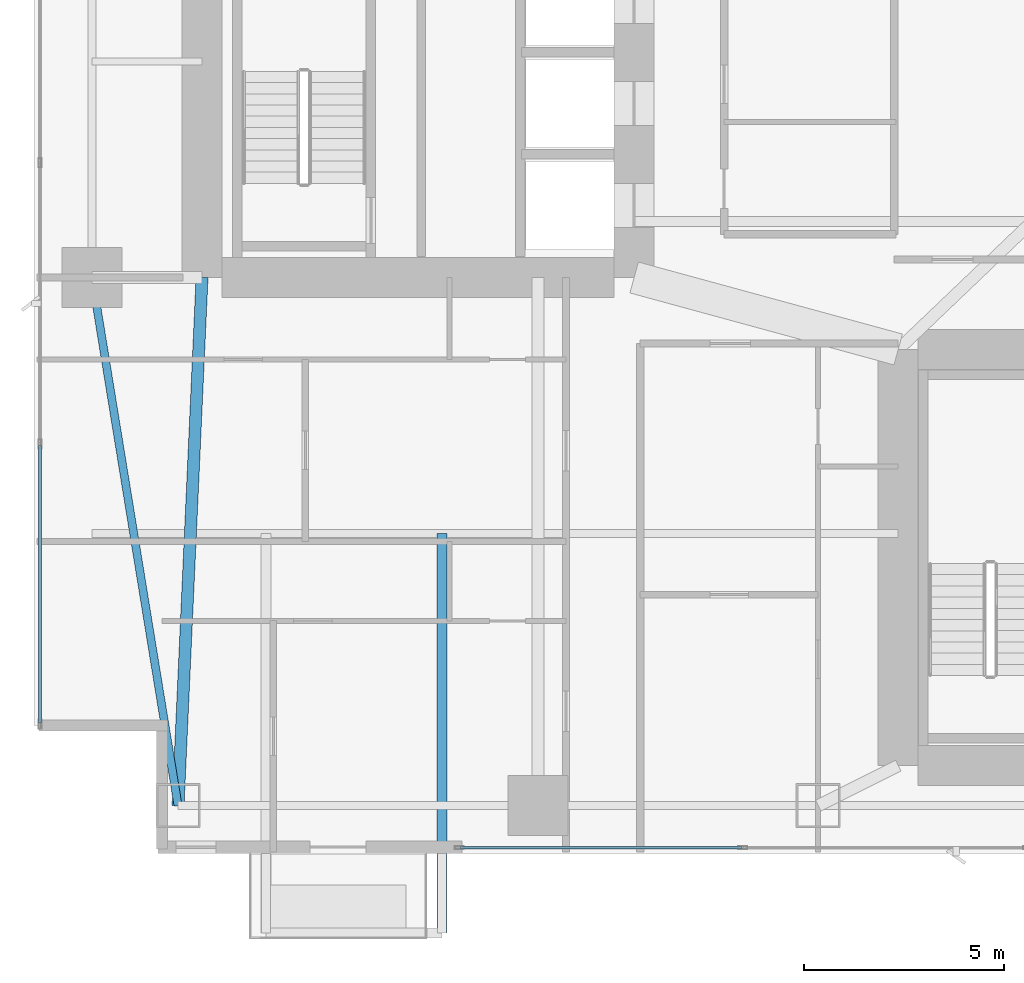
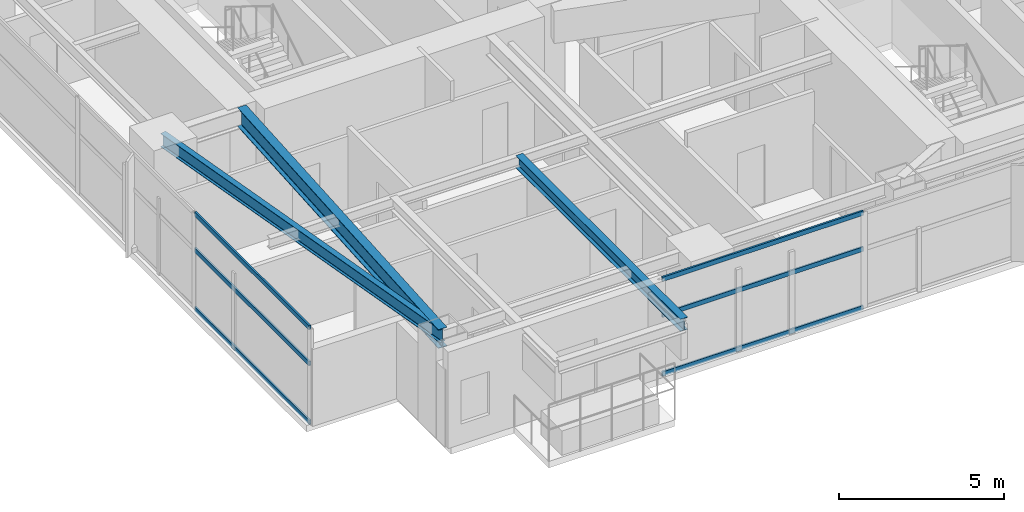
# One storey, part 3 of 30: 6 members, 3 beams, 2 elements without a shape of their own.
"""IFC4 building model written with IfcOpenShell, lengths in metres."""

from ifc_helpers import new_model, si_unit, direction, frame, origin, origin_2d, place, context, subcontext, project, spatial, hollow_rectangle, i_section, extrude, material, layer, layer_set, material_profile, profile_set, type_object, element, aggregate, save


model = new_model("IFC4")

# Units and contexts
model_context = context("Model", 3, precision=1e-05, world=origin(), true_north=direction((0.0, 1.0)))
body_context = subcontext(model_context, "Body", "Model", "MODEL_VIEW")
ifc_project = project(units=[si_unit("LENGTHUNIT", "METRE"), si_unit("AREAUNIT", "SQUARE_METRE"), si_unit("VOLUMEUNIT", "CUBIC_METRE"), si_unit("PLANEANGLEUNIT", "RADIAN"), si_unit("MASSUNIT", "GRAM", prefix="KILO")], contexts=[model_context])

# Site, building, storey
site_placement = place(None, origin())
site = spatial("IfcSite", under=ifc_project, at=site_placement, CompositionType="ELEMENT")
building_placement = place(site_placement, origin())
building = spatial("IfcBuilding", under=site, at=building_placement, Name="Calvorn Quay Hotel", CompositionType="ELEMENT")
storey_placement = place(building_placement, frame((0.0, 0.0, 77.39990234375)))
storey = spatial("IfcBuildingStorey", under=building, at=storey_placement, Name="L18", CompositionType="ELEMENT", Elevation=77.39990234375)

# Beams
ifc_material_1 = material(Name="Steel Q355B", Category="steel")
ifc_material_profile_1 = material_profile(ifc_material_1, i_section(OverallWidth=0.25, OverallDepth=0.449951171875, WebThickness=0.011962890625, FlangeThickness=0.01611328125, FilletRadius=0.01611328125, at=origin_2d()), Name="HN450x250x12x16")
ifc_profile_set_1 = profile_set([ifc_material_profile_1], Name="Steel Q355B")
beam_type_1 = type_object("IfcBeamType", Name="BM-CANT-BALC", PredefinedType="BEAM", material=ifc_profile_set_1)
beam_1_placement = place(storey_placement, frame((10.199951171875, 10.39990234375, 3.315185546875), z_axis=(0.0, -1.0, 0.0), x_axis=(1.0, 0.0, 0.0)))
element("IfcBeam", 1, at=beam_1_placement, inside=storey, type_object=beam_type_1, Name="Cantilever Balcony Beam BCB-L19-2B", PredefinedType="BEAM", context=body_context, shape_type="SweptSolid", body=[
    extrude(i_section(OverallWidth=0.25, OverallDepth=0.449951171875, WebThickness=0.011962890625, FlangeThickness=0.01611328125, FilletRadius=0.01611328125, at=origin_2d()), origin(), (0.0, 0.0, 1.0), 9.989990234375),
])
ifc_material_2 = material(Name="Steel Q390GJC", Category="steel")
ifc_material_profile_2 = material_profile(ifc_material_2, i_section(OverallWidth=0.300048828125, OverallDepth=0.699951171875, WebThickness=0.012939453125, FlangeThickness=0.02392578125, FilletRadius=0.02392578125, at=origin_2d()), Name="HN700x300x13x24")
ifc_profile_set_2 = profile_set([ifc_material_profile_2], Name="Steel Q390GJC")
beam_type_2 = type_object("IfcBeamType", Name="BM-GIRD-MAIN", PredefinedType="BEAM", material=ifc_profile_set_2)
beam_2_placement = place(storey_placement, frame((3.60009765625, 3.60009765625, 3.190185546875), z_axis=(0.045396765494, 0.998969035397, 0.0), x_axis=(-0.998969035397, 0.045396765494, 0.0)))
element("IfcBeam", 2, at=beam_2_placement, inside=storey, type_object=beam_type_2, Name="Beam BG-L18-W0", PredefinedType="BEAM", context=body_context, shape_type="SweptSolid", body=[
    extrude(i_section(OverallWidth=0.300048828125, OverallDepth=0.699951171875, WebThickness=0.012939453125, FlangeThickness=0.02392578125, FilletRadius=0.02392578125, at=origin_2d()), origin(), (0.0, 0.0, 1.0), 13.213623046875),
])
ifc_material_3 = material(Name="Steel Q355B", Category="steel")
ifc_material_profile_3 = material_profile(ifc_material_3, i_section(OverallWidth=0.199951171875, OverallDepth=0.5, WebThickness=0.010009765625, FlangeThickness=0.01611328125, FilletRadius=0.01611328125, at=origin_2d()), Name="HN500x200x10x16")
ifc_profile_set_3 = profile_set([ifc_material_profile_3], Name="Steel Q355B")
beam_type_3 = type_object("IfcBeamType", Name="BM-SPANDREL-Z1", PredefinedType="SPANDREL", material=ifc_profile_set_3)
beam_3_placement = place(storey_placement, frame((3.60009765625, 3.60009765625, 3.2900390625), z_axis=(-0.16077155054, 0.986991645627, 0.0), x_axis=(-0.986991645627, -0.16077155054, 0.0)))
element("IfcBeam", 3, at=beam_3_placement, inside=storey, type_object=beam_type_3, Name="Beam BSP-L18-W1", PredefinedType="SPANDREL", context=body_context, shape_type="SweptSolid", body=[
    extrude(i_section(OverallWidth=0.199951171875, OverallDepth=0.5, WebThickness=0.010009765625, FlangeThickness=0.01611328125, FilletRadius=0.01611328125, at=origin_2d()), origin(), (0.0, 0.0, 1.0), 13.3740234375),
])

# Curtain wall, members
ifc_material_4 = material(Name="Pale Anodised Aluminium and Low-E Glass", Category="aluminium")
ifc_layer = layer(ifc_material_4, 0.219970703125)
ifc_layer_set = layer_set([ifc_layer], Name="CW-SYS-Z1")
curtain_wall_type = type_object("IfcCurtainWallType", Name="CW-SYS-Z1", PredefinedType="NOTDEFINED", material=ifc_layer_set)
curtain_wall_1_placement = place(storey_placement, origin())
curtain_wall_1 = element("IfcCurtainWall", 4, at=curtain_wall_1_placement, inside=storey, type_object=curtain_wall_type, Name="Tower West Curtain Wall (L18)", PredefinedType="NOTDEFINED")
ifc_material_5 = material(Name="Pale Anodised Aluminium 6063-T6", Category="aluminium")
ifc_material_profile_4 = material_profile(ifc_material_5, hollow_rectangle(XDim=0.06494140625, YDim=0.1650390625, WallThickness=0.00341796875, at=origin_2d()), Name="ALU-T165x65x3.5")
ifc_profile_set_4 = profile_set([ifc_material_profile_4], Name="Pale Anodised Aluminium 6063-T6")
member_type = type_object("IfcMemberType", Name="CW-SYS-Z1-TRN", PredefinedType="USERDEFINED", material=ifc_profile_set_4)
member_1_placement = place(storey_placement, frame((0.14990234375, 5.659912109375, 0.030029296875), z_axis=(0.0, 1.0, 0.0), x_axis=(-1.0, 0.0, 0.0)))
member_1 = element("IfcMember", 5, at=member_1_placement, type_object=member_type, Name="CW-L18-W transom 1.1", ObjectType="TRANSOM", PredefinedType="USERDEFINED", context=body_context, shape_type="SweptSolid", body=[
    extrude(hollow_rectangle(XDim=0.06494140625, YDim=0.1650390625, WallThickness=0.00341796875, at=origin_2d()), origin(), (0.0, 0.0, 1.0), 6.943359375),
])
member_2_placement = place(storey_placement, frame((0.14990234375, 5.659912109375, 2.2001953125), z_axis=(0.0, 1.0, 0.0), x_axis=(-1.0, 0.0, 0.0)))
member_2 = element("IfcMember", 6, at=member_2_placement, type_object=member_type, Name="CW-L18-W transom 1.2", ObjectType="TRANSOM", PredefinedType="USERDEFINED", context=body_context, shape_type="SweptSolid", body=[
    extrude(hollow_rectangle(XDim=0.06494140625, YDim=0.1650390625, WallThickness=0.00341796875, at=origin_2d()), origin(), (0.0, 0.0, 1.0), 6.943359375),
])
member_3_placement = place(storey_placement, frame((0.14990234375, 5.659912109375, 3.530029296875), z_axis=(0.0, 1.0, 0.0), x_axis=(-1.0, 0.0, 0.0)))
member_3 = element("IfcMember", 7, at=member_3_placement, type_object=member_type, Name="CW-L18-W transom 1.3", ObjectType="TRANSOM", PredefinedType="USERDEFINED", context=body_context, shape_type="SweptSolid", body=[
    extrude(hollow_rectangle(XDim=0.06494140625, YDim=0.1650390625, WallThickness=0.00341796875, at=origin_2d()), origin(), (0.0, 0.0, 1.0), 6.943359375),
])
aggregate(curtain_wall_1, [member_1, member_2, member_3])

curtain_wall_2_placement = place(storey_placement, origin())
curtain_wall_2 = element("IfcCurtainWall", 8, at=curtain_wall_2_placement, inside=storey, type_object=curtain_wall_type, Name="Tower South Waterfront Curtain Wall (L18)", PredefinedType="NOTDEFINED")
member_4_placement = place(storey_placement, frame((10.659912109375, 2.550048828125, 0.030029296875), z_axis=(1.0, 0.0, 0.0), x_axis=(0.0, 1.0, 0.0)))
member_4 = element("IfcMember", 9, at=member_4_placement, type_object=member_type, Name="CW-L18-S transom 1.1", ObjectType="TRANSOM", PredefinedType="USERDEFINED", context=body_context, shape_type="SweptSolid", body=[
    extrude(hollow_rectangle(XDim=0.06494140625, YDim=0.1650390625, WallThickness=0.00341796875, at=origin_2d()), origin(), (0.0, 0.0, 1.0), 7.0244140625),
])
member_5_placement = place(storey_placement, frame((10.659912109375, 2.550048828125, 2.2001953125), z_axis=(1.0, 0.0, 0.0), x_axis=(0.0, 1.0, 0.0)))
member_5 = element("IfcMember", 10, at=member_5_placement, type_object=member_type, Name="CW-L18-S transom 1.2", ObjectType="TRANSOM", PredefinedType="USERDEFINED", context=body_context, shape_type="SweptSolid", body=[
    extrude(hollow_rectangle(XDim=0.06494140625, YDim=0.1650390625, WallThickness=0.00341796875, at=origin_2d()), origin(), (0.0, 0.0, 1.0), 7.0244140625),
])
member_6_placement = place(storey_placement, frame((10.659912109375, 2.550048828125, 3.530029296875), z_axis=(1.0, 0.0, 0.0), x_axis=(0.0, 1.0, 0.0)))
member_6 = element("IfcMember", 11, at=member_6_placement, type_object=member_type, Name="CW-L18-S transom 1.3", ObjectType="TRANSOM", PredefinedType="USERDEFINED", context=body_context, shape_type="SweptSolid", body=[
    extrude(hollow_rectangle(XDim=0.06494140625, YDim=0.1650390625, WallThickness=0.00341796875, at=origin_2d()), origin(), (0.0, 0.0, 1.0), 7.0244140625),
])
aggregate(curtain_wall_2, [member_4, member_5, member_6])

save(model, "model.ifc")
